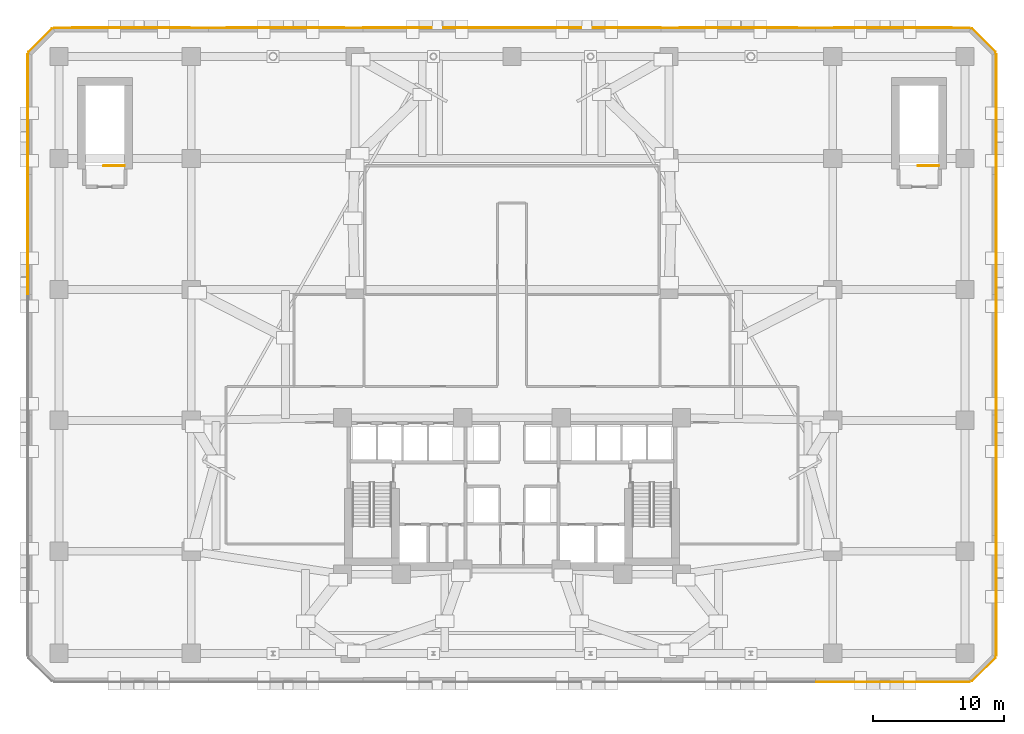
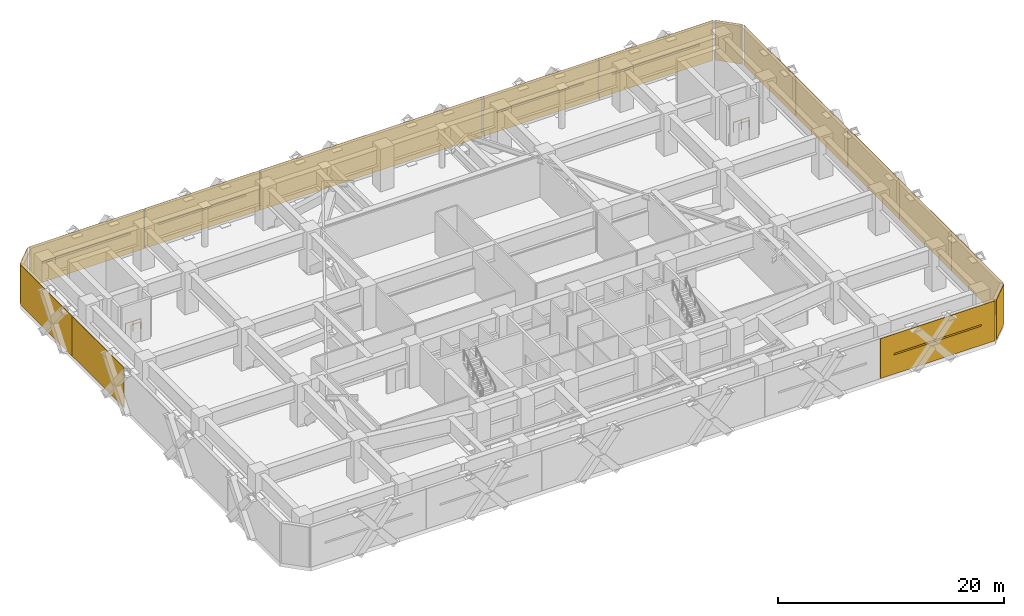
# One storey, part 14 of 14: 16 coverings, 5 shading devices, 2 railings.
"""IFC4 building model written with IfcOpenShell, lengths in metres."""

from ifc_helpers import new_model, si_unit, direction, frame, origin, origin_2d, place, context, subcontext, project, spatial, polyline, rectangle, circle, outline, extrude, material, layer, layer_set, material_profile, profile_set, type_object, element, save


model = new_model("IFC4")

# Units and contexts
model_context = context("Model", 3, precision=1e-05, world=origin(), true_north=direction((0.0, 1.0)))
body_context = subcontext(model_context, "Body", "Model", "MODEL_VIEW")
ifc_project = project(units=[si_unit("LENGTHUNIT", "METRE"), si_unit("AREAUNIT", "SQUARE_METRE"), si_unit("VOLUMEUNIT", "CUBIC_METRE"), si_unit("PLANEANGLEUNIT", "RADIAN"), si_unit("MASSUNIT", "GRAM", prefix="KILO")], contexts=[model_context])

# Site, building, storey
site_placement = place(None, origin())
site = spatial("IfcSite", under=ifc_project, at=site_placement, CompositionType="ELEMENT")
building_placement = place(site_placement, origin())
building = spatial("IfcBuilding", under=site, at=building_placement, Name="Quenlor Broadcast Tower", CompositionType="ELEMENT")
storey_placement = place(building_placement, frame((0.0, 0.0, 23.0)))
storey = spatial("IfcBuildingStorey", under=building, at=storey_placement, Name="L05", CompositionType="ELEMENT", Elevation=23.0)

# Coverings
ifc_material_1 = material(Name="Architectural Terracotta Ceramic", Category="masonry")
ifc_layer = layer(ifc_material_1, 0.044921875)
ifc_layer_set = layer_set([ifc_layer], Name="Fluted Terracotta Rainscreen Cladding Panel")
covering_type = type_object("IfcCoveringType", Name="Fluted Terracotta Rainscreen Cladding Panel", PredefinedType="CLADDING", material=ifc_layer_set)
covering_1_placement = place(storey_placement, frame((0.0, 0.0, 0.02001953125)))
element("IfcCovering", 1, at=covering_1_placement, inside=storey, type_object=covering_type, Name="L05 Terracotta Rainscreen Cladding L05-EW-S1", PredefinedType="CLADDING", context=body_context, shape_type="SweptSolid", body=[
    extrude(outline(polyline([(34.969970703125, -24.9619140625), (23.22998046875, -24.9619140625), (23.22998046875, -25.007080078125), (34.969970703125, -25.007080078125), (34.969970703125, -24.9619140625)])), origin(), (0.0, 0.0, 1.0), 4.31005859375),
])
covering_2_placement = place(storey_placement, frame((0.0, 0.0, 0.02001953125)))
element("IfcCovering", 2, at=covering_2_placement, inside=storey, type_object=covering_type, Name="L05 Terracotta Rainscreen Cladding L05-EW-N1", PredefinedType="CLADDING", context=body_context, shape_type="SweptSolid", body=[
    extrude(outline(polyline([(-34.969970703125, 24.9619140625), (-23.22998046875, 24.9619140625), (-23.22998046875, 25.007080078125), (-34.969970703125, 25.007080078125), (-34.969970703125, 24.9619140625)])), origin(), (0.0, 0.0, 1.0), 4.31005859375),
])
covering_3_placement = place(storey_placement, frame((0.0, 0.0, 0.02001953125)))
element("IfcCovering", 3, at=covering_3_placement, inside=storey, type_object=covering_type, Name="L05 Terracotta Rainscreen Cladding L05-EW-N2", PredefinedType="CLADDING", context=body_context, shape_type="SweptSolid", body=[
    extrude(outline(polyline([(-23.169921875, 24.9619140625), (-11.429931640625, 24.9619140625), (-11.429931640625, 25.007080078125), (-23.169921875, 25.007080078125), (-23.169921875, 24.9619140625)])), origin(), (0.0, 0.0, 1.0), 4.31005859375),
])
covering_4_placement = place(storey_placement, frame((0.0, 0.0, 0.02001953125)))
element("IfcCovering", 4, at=covering_4_placement, inside=storey, type_object=covering_type, Name="L05 Terracotta Rainscreen Cladding L05-EW-N4", PredefinedType="CLADDING", context=body_context, shape_type="SweptSolid", body=[
    extrude(outline(polyline([(11.429931640625, 24.9619140625), (23.169921875, 24.9619140625), (23.169921875, 25.007080078125), (11.429931640625, 25.007080078125), (11.429931640625, 24.9619140625)])), origin(), (0.0, 0.0, 1.0), 4.31005859375),
])
covering_5_placement = place(storey_placement, frame((0.0, 0.0, 0.02001953125)))
element("IfcCovering", 5, at=covering_5_placement, inside=storey, type_object=covering_type, Name="L05 Terracotta Rainscreen Cladding L05-EW-N5", PredefinedType="CLADDING", context=body_context, shape_type="SweptSolid", body=[
    extrude(outline(polyline([(23.22998046875, 24.9619140625), (34.969970703125, 24.9619140625), (34.969970703125, 25.007080078125), (23.22998046875, 25.007080078125), (23.22998046875, 24.9619140625)])), origin(), (0.0, 0.0, 1.0), 4.31005859375),
])
covering_6_placement = place(storey_placement, frame((0.0, 0.0, 0.02001953125)))
element("IfcCovering", 6, at=covering_6_placement, inside=storey, type_object=covering_type, Name="L05 Terracotta Rainscreen Cladding L05-EW-NM", PredefinedType="CLADDING", context=body_context, shape_type="SweptSolid", body=[
    extrude(outline(polyline([(-11.3701171875, 24.971923828125), (11.3701171875, 24.971923828125), (11.3701171875, 25.01708984375), (-11.3701171875, 25.01708984375), (-11.3701171875, 24.971923828125)])), origin(), (0.0, 0.0, 1.0), 4.31005859375),
])
covering_7_placement = place(storey_placement, frame((0.0, 0.0, 0.02001953125)))
element("IfcCovering", 7, at=covering_7_placement, inside=storey, type_object=covering_type, Name="L05 Terracotta Rainscreen Cladding L05-EW-W4", PredefinedType="CLADDING", context=body_context, shape_type="SweptSolid", body=[
    extrude(outline(polyline([(-36.971923828125, 4.6298828125), (-36.971923828125, 13.77001953125), (-37.01708984375, 13.77001953125), (-37.01708984375, 4.6298828125), (-36.971923828125, 4.6298828125)])), origin(), (0.0, 0.0, 1.0), 4.31005859375),
])
covering_8_placement = place(storey_placement, frame((0.0, 0.0, 0.02001953125)))
element("IfcCovering", 8, at=covering_8_placement, inside=storey, type_object=covering_type, Name="L05 Terracotta Rainscreen Cladding L05-EW-W5", PredefinedType="CLADDING", context=body_context, shape_type="SweptSolid", body=[
    extrude(outline(polyline([(-36.971923828125, 13.830078125), (-36.971923828125, 22.969970703125), (-37.01708984375, 22.969970703125), (-37.01708984375, 13.830078125), (-36.971923828125, 13.830078125)])), origin(), (0.0, 0.0, 1.0), 4.31005859375),
])
covering_9_placement = place(storey_placement, frame((0.0, 0.0, 0.02001953125)))
element("IfcCovering", 9, at=covering_9_placement, inside=storey, type_object=covering_type, Name="L05 Terracotta Rainscreen Cladding L05-EW-E1", PredefinedType="CLADDING", context=body_context, shape_type="SweptSolid", body=[
    extrude(outline(polyline([(36.971923828125, 22.969970703125), (36.971923828125, 13.830078125), (37.01708984375, 13.830078125), (37.01708984375, 22.969970703125), (36.971923828125, 22.969970703125)])), origin(), (0.0, 0.0, 1.0), 4.31005859375),
])
covering_10_placement = place(storey_placement, frame((0.0, 0.0, 0.02001953125)))
element("IfcCovering", 10, at=covering_10_placement, inside=storey, type_object=covering_type, Name="L05 Terracotta Rainscreen Cladding L05-EW-E2", PredefinedType="CLADDING", context=body_context, shape_type="SweptSolid", body=[
    extrude(outline(polyline([(36.971923828125, 13.77001953125), (36.971923828125, 4.6298828125), (37.01708984375, 4.6298828125), (37.01708984375, 13.77001953125), (36.971923828125, 13.77001953125)])), origin(), (0.0, 0.0, 1.0), 4.31005859375),
])
covering_11_placement = place(storey_placement, frame((0.0, 0.0, 0.02001953125)))
element("IfcCovering", 11, at=covering_11_placement, inside=storey, type_object=covering_type, Name="L05 Terracotta Rainscreen Cladding L05-EW-E3", PredefinedType="CLADDING", context=body_context, shape_type="SweptSolid", body=[
    extrude(outline(polyline([(36.971923828125, 4.570068359375), (36.971923828125, -4.570068359375), (37.01708984375, -4.570068359375), (37.01708984375, 4.570068359375), (36.971923828125, 4.570068359375)])), origin(), (0.0, 0.0, 1.0), 4.31005859375),
])
covering_12_placement = place(storey_placement, frame((0.0, 0.0, 0.02001953125)))
element("IfcCovering", 12, at=covering_12_placement, inside=storey, type_object=covering_type, Name="L05 Terracotta Rainscreen Cladding L05-EW-E4", PredefinedType="CLADDING", context=body_context, shape_type="SweptSolid", body=[
    extrude(outline(polyline([(36.971923828125, -4.6298828125), (36.971923828125, -13.77001953125), (37.01708984375, -13.77001953125), (37.01708984375, -4.6298828125), (36.971923828125, -4.6298828125)])), origin(), (0.0, 0.0, 1.0), 4.31005859375),
])
covering_13_placement = place(storey_placement, frame((0.0, 0.0, 0.02001953125)))
element("IfcCovering", 13, at=covering_13_placement, inside=storey, type_object=covering_type, Name="L05 Terracotta Rainscreen Cladding L05-EW-E5", PredefinedType="CLADDING", context=body_context, shape_type="SweptSolid", body=[
    extrude(outline(polyline([(36.971923828125, -13.830078125), (36.971923828125, -22.969970703125), (37.01708984375, -22.969970703125), (37.01708984375, -13.830078125), (36.971923828125, -13.830078125)])), origin(), (0.0, 0.0, 1.0), 4.31005859375),
])
covering_14_placement = place(storey_placement, frame((0.0, 0.0, 0.02001953125)))
element("IfcCovering", 14, at=covering_14_placement, inside=storey, type_object=covering_type, Name="L05 Terracotta Rainscreen Cladding L05-EW-CSE", PredefinedType="CLADDING", context=body_context, shape_type="SweptSolid", body=[
    extrude(outline(polyline([(36.90625, -23.128662109375), (35.128662109375, -24.90625), (35.160400390625, -24.93798828125), (36.93798828125, -23.160400390625), (36.90625, -23.128662109375)])), origin(), (0.0, 0.0, 1.0), 4.31005859375),
])
covering_15_placement = place(storey_placement, frame((0.0, 0.0, 0.02001953125)))
element("IfcCovering", 15, at=covering_15_placement, inside=storey, type_object=covering_type, Name="L05 Terracotta Rainscreen Cladding L05-EW-CNW", PredefinedType="CLADDING", context=body_context, shape_type="SweptSolid", body=[
    extrude(outline(polyline([(-36.90625, 23.128662109375), (-35.128662109375, 24.90625), (-35.160400390625, 24.93798828125), (-36.93798828125, 23.160400390625), (-36.90625, 23.128662109375)])), origin(), (0.0, 0.0, 1.0), 4.31005859375),
])
covering_16_placement = place(storey_placement, frame((0.0, 0.0, 0.02001953125)))
element("IfcCovering", 16, at=covering_16_placement, inside=storey, type_object=covering_type, Name="L05 Terracotta Rainscreen Cladding L05-EW-CNE", PredefinedType="CLADDING", context=body_context, shape_type="SweptSolid", body=[
    extrude(outline(polyline([(35.128662109375, 24.90625), (36.90625, 23.128662109375), (36.93798828125, 23.160400390625), (35.160400390625, 24.93798828125), (35.128662109375, 24.90625)])), origin(), (0.0, 0.0, 1.0), 4.31005859375),
])

# Shading devices
ifc_material_2 = material(Name="Architectural Terracotta Ceramic", Category="masonry")
ifc_material_profile = material_profile(ifc_material_2, rectangle(XDim=0.06005859375, YDim=0.179931640625, at=origin_2d()))
ifc_profile_set = profile_set([ifc_material_profile], Name="Architectural Terracotta Ceramic LVR60x180")
shading_device_type = type_object("IfcShadingDeviceType", Name="Terracotta Acoustic Plant Weather Louvre 180", PredefinedType="JALOUSIE", material=ifc_profile_set)
for number, where, z_axis, x_axis, name in (
    (17, (33.583984375, -24.988037109375, 2.175048828125), (-1.0, 0.0, 0.0), (0.0, -1.0, 0.0), "L05 Plant Weather Louvre L05-LV-S1"),
    (18, (-33.583984375, 24.988037109375, 2.175048828125), (1.0, 0.0, 0.0), (0.0, 1.0, 0.0), "L05 Plant Weather Louvre L05-LV-N1"),
    (19, (-21.783935546875, 24.988037109375, 2.175048828125), (1.0, 0.0, 0.0), (0.0, 1.0, 0.0), "L05 Plant Weather Louvre L05-LV-N2"),
    (20, (12.81591796875, 24.988037109375, 2.175048828125), (1.0, 0.0, 0.0), (0.0, 1.0, 0.0), "L05 Plant Weather Louvre L05-LV-N4"),
    (21, (24.615966796875, 24.988037109375, 2.175048828125), (1.0, 0.0, 0.0), (0.0, 1.0, 0.0), "L05 Plant Weather Louvre L05-LV-N5"),
):
    element("IfcShadingDevice", number, at=place(storey_placement, frame(where, z_axis=z_axis, x_axis=x_axis)), inside=storey, type_object=shading_device_type, Name=name, PredefinedType="JALOUSIE", context=body_context, shape_type="SweptSolid", body=[
        extrude(rectangle(XDim=0.06005859375, YDim=0.179931640625, at=origin_2d()), origin(), (0.0, 0.0, 1.0), 8.968017578125),
    ])

# Railings
ifc_material_3 = material(Name="Steel S355", Category="steel")
railing_type = type_object("IfcRailingType", Name="Tubular Steel S355 Stair Guardrail 1100", PredefinedType="BALUSTRADE", material=ifc_material_3)
railing_1_placement = place(storey_placement, frame((-29.60009765625, 14.449951171875, 0.0)))
element("IfcRailing", 22, at=railing_1_placement, inside=storey, type_object=railing_type, Name="L05 ST-3 top well guard 1", PredefinedType="BALUSTRADE", context=body_context, shape_type="SweptSolid", body=[
    extrude(circle(Radius=0.02392578125, at=origin_2d()), frame((0.0, 0.0, 1.076171875), z_axis=(-1.0, 0.0, 0.0), x_axis=(0.0, -1.0, 0.0)), (0.0, 0.0, 1.0), 1.599853515625),
    extrude(circle(Radius=0.02099609375, at=origin_2d()), origin(), (0.0, 0.0, 1.0), 1.052001953125),
    extrude(circle(Radius=0.02099609375, at=origin_2d()), frame((-0.7998046875, 0.0, 0.0)), (0.0, 0.0, 1.0), 1.052001953125),
    extrude(circle(Radius=0.02099609375, at=origin_2d()), frame((-1.599853515625, 0.0, 0.0)), (0.0, 0.0, 1.0), 1.052001953125),
])
railing_2_placement = place(storey_placement, frame((32.60009765625, 14.449951171875, 0.0)))
element("IfcRailing", 23, at=railing_2_placement, inside=storey, type_object=railing_type, Name="L05 ST-4 top well guard 1", PredefinedType="BALUSTRADE", context=body_context, shape_type="SweptSolid", body=[
    extrude(circle(Radius=0.02392578125, at=origin_2d()), frame((0.0, 0.0, 1.076171875), z_axis=(-1.0, 0.0, 0.0), x_axis=(0.0, -1.0, 0.0)), (0.0, 0.0, 1.0), 1.60009765625),
    extrude(circle(Radius=0.02099609375, at=origin_2d()), origin(), (0.0, 0.0, 1.0), 1.052001953125),
    extrude(circle(Radius=0.02099609375, at=origin_2d()), frame((-0.800048828125, 0.0, 0.0)), (0.0, 0.0, 1.0), 1.052001953125),
    extrude(circle(Radius=0.02099609375, at=origin_2d()), frame((-1.60009765625, 0.0, 0.0)), (0.0, 0.0, 1.0), 1.052001953125),
])

save(model, "model.ifc")
